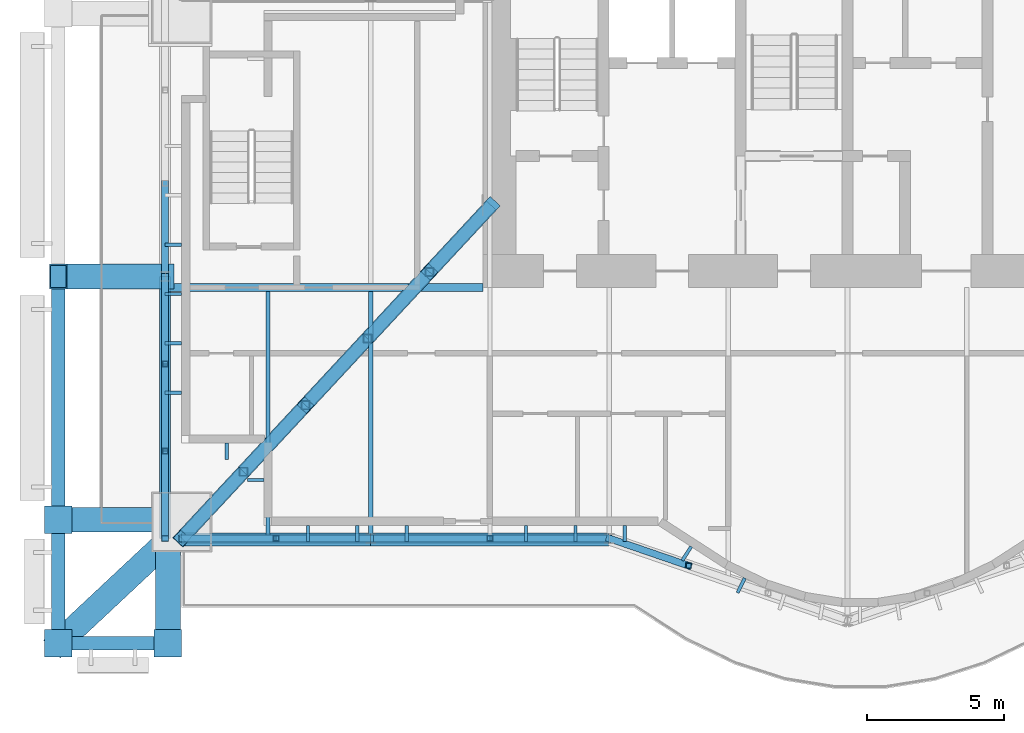
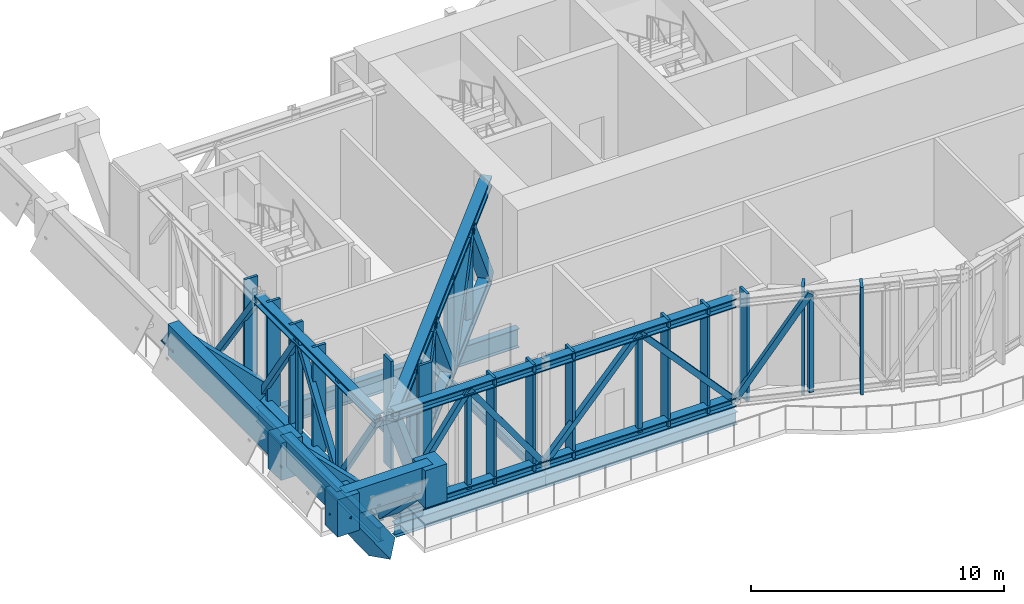
# One storey, part 3 of 20: 52 members, 9 beams, 1 element without a shape of its own.
"""IFC4 building model written with IfcOpenShell, lengths in metres."""

from ifc_helpers import new_model, si_unit, direction, frame, origin, origin_2d, place, context, subcontext, project, spatial, rectangle, hollow_rectangle, i_section, extrude, material, material_profile, profile_set, type_object, element, aggregate, save


model = new_model("IFC4")

# Units and contexts
model_context = context("Model", 3, precision=1e-05, world=origin(), true_north=direction((0.0, 1.0)))
body_context = subcontext(model_context, "Body", "Model", "MODEL_VIEW")
ifc_project = project(units=[si_unit("LENGTHUNIT", "METRE"), si_unit("AREAUNIT", "SQUARE_METRE"), si_unit("VOLUMEUNIT", "CUBIC_METRE"), si_unit("PLANEANGLEUNIT", "RADIAN"), si_unit("MASSUNIT", "GRAM", prefix="KILO")], contexts=[model_context])

# Site, building, storey
site_placement = place(None, origin())
site = spatial("IfcSite", under=ifc_project, at=site_placement, CompositionType="ELEMENT")
building_placement = place(site_placement, origin())
building = spatial("IfcBuilding", under=site, at=building_placement, Name="Bicima Exchange Tower", CompositionType="ELEMENT")
storey_placement = place(building_placement, frame((0.0, 0.0, 342.5)))
storey = spatial("IfcBuildingStorey", under=building, at=storey_placement, Name="L77", CompositionType="ELEMENT", Elevation=342.5)

# Curtain wall, members
ifc_material_1 = material(Name="Anodised bronze aluminium", Category="aluminium")
curtain_wall_type = type_object("IfcCurtainWallType", Name="Band blade screen", PredefinedType="NOTDEFINED", material=ifc_material_1)
curtain_wall_placement = place(storey_placement, origin())
curtain_wall = element("IfcCurtainWall", 1, at=curtain_wall_placement, inside=storey, type_object=curtain_wall_type, Name="Band blade screen L77", PredefinedType="NOTDEFINED")
ifc_material_profile_1 = material_profile(ifc_material_1, rectangle(XDim=0.60009765625, YDim=0.1201171875, at=origin_2d()))
ifc_profile_set_1 = profile_set([ifc_material_profile_1], Name="Anodised bronze aluminium")
member_type_1 = type_object("IfcMemberType", Name="Band blade fin 600 x 120", PredefinedType="USERDEFINED", material=ifc_profile_set_1)
member_1_placement = place(storey_placement, frame((-33.300048828125, -11.43798828125, 0.0), z_axis=(0.0, 0.0, 1.0), x_axis=(1.0, 0.0, 0.0)))
member_1 = element("IfcMember", 2, at=member_1_placement, type_object=member_type_1, Name="Band blade fin 13", ObjectType="FIN", PredefinedType="USERDEFINED", context=body_context, shape_type="SweptSolid", body=[
    extrude(rectangle(XDim=0.60009765625, YDim=0.1201171875, at=origin_2d()), origin(), (0.0, 0.0, 1.0), 5.199951171875),
])
member_2_placement = place(storey_placement, frame((-33.300048828125, -13.238037109375, 0.0), z_axis=(0.0, 0.0, 1.0), x_axis=(1.0, 0.0, 0.0)))
member_2 = element("IfcMember", 3, at=member_2_placement, type_object=member_type_1, Name="Band blade fin 14", ObjectType="FIN", PredefinedType="USERDEFINED", context=body_context, shape_type="SweptSolid", body=[
    extrude(rectangle(XDim=0.60009765625, YDim=0.1201171875, at=origin_2d()), origin(), (0.0, 0.0, 1.0), 5.199951171875),
])
member_3_placement = place(storey_placement, frame((-33.300048828125, -15.0380859375, 0.0), z_axis=(0.0, 0.0, 1.0), x_axis=(1.0, 0.0, 0.0)))
member_3 = element("IfcMember", 4, at=member_3_placement, type_object=member_type_1, Name="Band blade fin 15", ObjectType="FIN", PredefinedType="USERDEFINED", context=body_context, shape_type="SweptSolid", body=[
    extrude(rectangle(XDim=0.60009765625, YDim=0.1201171875, at=origin_2d()), origin(), (0.0, 0.0, 1.0), 5.199951171875),
])
member_4_placement = place(storey_placement, frame((-33.300048828125, -16.837890625, 0.0), z_axis=(0.0, 0.0, 1.0), x_axis=(1.0, 0.0, 0.0)))
member_4 = element("IfcMember", 5, at=member_4_placement, type_object=member_type_1, Name="Band blade fin 16", ObjectType="FIN", PredefinedType="USERDEFINED", context=body_context, shape_type="SweptSolid", body=[
    extrude(rectangle(XDim=0.60009765625, YDim=0.1201171875, at=origin_2d()), origin(), (0.0, 0.0, 1.0), 5.199951171875),
])
member_5_placement = place(storey_placement, frame((-31.35009765625, -18.97607421875, 0.0), z_axis=(0.0, 0.0, 1.0), x_axis=(0.0, 1.0, 0.0)))
member_5 = element("IfcMember", 6, at=member_5_placement, type_object=member_type_1, Name="Band blade fin 17", ObjectType="FIN", PredefinedType="USERDEFINED", context=body_context, shape_type="SweptSolid", body=[
    extrude(rectangle(XDim=0.60009765625, YDim=0.1201171875, at=origin_2d()), origin(), (0.0, 0.0, 1.0), 5.199951171875),
])
member_6_placement = place(storey_placement, frame((-30.300048828125, -20.02587890625, 0.0), z_axis=(0.0, 0.0, 1.0), x_axis=(1.0, 0.0, 0.0)))
member_6 = element("IfcMember", 7, at=member_6_placement, type_object=member_type_1, Name="Band blade fin 18", ObjectType="FIN", PredefinedType="USERDEFINED", context=body_context, shape_type="SweptSolid", body=[
    extrude(rectangle(XDim=0.60009765625, YDim=0.1201171875, at=origin_2d()), origin(), (0.0, 0.0, 1.0), 5.199951171875),
])
member_7_placement = place(storey_placement, frame((-28.38720703125, -21.97607421875, 0.0), z_axis=(0.0, 0.0, 1.0), x_axis=(0.0, 1.0, 0.0)))
member_7 = element("IfcMember", 8, at=member_7_placement, type_object=member_type_1, Name="Band blade fin 19", ObjectType="FIN", PredefinedType="USERDEFINED", context=body_context, shape_type="SweptSolid", body=[
    extrude(rectangle(XDim=0.60009765625, YDim=0.1201171875, at=origin_2d()), origin(), (0.0, 0.0, 1.0), 5.199951171875),
])
member_8_placement = place(storey_placement, frame((-26.587158203125, -21.97607421875, 0.0), z_axis=(0.0, 0.0, 1.0), x_axis=(0.0, 1.0, 0.0)))
member_8 = element("IfcMember", 9, at=member_8_placement, type_object=member_type_1, Name="Band blade fin 20", ObjectType="FIN", PredefinedType="USERDEFINED", context=body_context, shape_type="SweptSolid", body=[
    extrude(rectangle(XDim=0.60009765625, YDim=0.1201171875, at=origin_2d()), origin(), (0.0, 0.0, 1.0), 5.199951171875),
])
member_9_placement = place(storey_placement, frame((-24.787109375, -21.97607421875, 0.0), z_axis=(0.0, 0.0, 1.0), x_axis=(0.0, 1.0, 0.0)))
member_9 = element("IfcMember", 10, at=member_9_placement, type_object=member_type_1, Name="Band blade fin 21", ObjectType="FIN", PredefinedType="USERDEFINED", context=body_context, shape_type="SweptSolid", body=[
    extrude(rectangle(XDim=0.60009765625, YDim=0.1201171875, at=origin_2d()), origin(), (0.0, 0.0, 1.0), 5.199951171875),
])
member_10_placement = place(storey_placement, frame((-20.432373046875, -21.97607421875, 0.0), z_axis=(0.0, 0.0, 1.0), x_axis=(0.0, 1.0, 0.0)))
member_10 = element("IfcMember", 11, at=member_10_placement, type_object=member_type_1, Name="Band blade fin 22", ObjectType="FIN", PredefinedType="USERDEFINED", context=body_context, shape_type="SweptSolid", body=[
    extrude(rectangle(XDim=0.60009765625, YDim=0.1201171875, at=origin_2d()), origin(), (0.0, 0.0, 1.0), 5.199951171875),
])
member_11_placement = place(storey_placement, frame((-18.63232421875, -21.97607421875, 0.0), z_axis=(0.0, 0.0, 1.0), x_axis=(0.0, 1.0, 0.0)))
member_11 = element("IfcMember", 12, at=member_11_placement, type_object=member_type_1, Name="Band blade fin 23", ObjectType="FIN", PredefinedType="USERDEFINED", context=body_context, shape_type="SweptSolid", body=[
    extrude(rectangle(XDim=0.60009765625, YDim=0.1201171875, at=origin_2d()), origin(), (0.0, 0.0, 1.0), 5.199951171875),
])
member_12_placement = place(storey_placement, frame((-16.832275390625, -21.97607421875, 0.0), z_axis=(0.0, 0.0, 1.0), x_axis=(0.0, 1.0, 0.0)))
member_12 = element("IfcMember", 13, at=member_12_placement, type_object=member_type_1, Name="Band blade fin 24", ObjectType="FIN", PredefinedType="USERDEFINED", context=body_context, shape_type="SweptSolid", body=[
    extrude(rectangle(XDim=0.60009765625, YDim=0.1201171875, at=origin_2d()), origin(), (0.0, 0.0, 1.0), 5.199951171875),
])
member_13_placement = place(storey_placement, frame((-14.5703125, -22.70849609375, 0.0), z_axis=(0.0, 0.0, 1.0), x_axis=(0.542916511621, 0.839786676132, 0.0)))
member_13 = element("IfcMember", 14, at=member_13_placement, type_object=member_type_1, Name="Band blade fin 25", ObjectType="FIN", PredefinedType="USERDEFINED", context=body_context, shape_type="SweptSolid", body=[
    extrude(rectangle(XDim=0.60009765625, YDim=0.1201171875, at=origin_2d()), origin(), (0.0, 0.0, 1.0), 5.199951171875),
])
member_14_placement = place(storey_placement, frame((-12.583740234375, -23.87060546875, 0.0), z_axis=(0.0, 0.0, 1.0), x_axis=(0.436286748784, 0.899807686584, 0.0)))
member_14 = element("IfcMember", 15, at=member_14_placement, type_object=member_type_1, Name="Band blade fin 26", ObjectType="FIN", PredefinedType="USERDEFINED", context=body_context, shape_type="SweptSolid", body=[
    extrude(rectangle(XDim=0.60009765625, YDim=0.1201171875, at=origin_2d()), origin(), (0.0, 0.0, 1.0), 5.199951171875),
])
aggregate(curtain_wall, [member_1, member_2, member_3, member_4, member_5, member_6, member_7, member_8, member_9, member_10, member_11, member_12, member_13, member_14])

# Beams
ifc_material_2 = material(Name="Steel ASTM A572 Gr 50", Category="steel")
ifc_material_profile_2 = material_profile(ifc_material_2, hollow_rectangle(XDim=0.5, YDim=1.199951171875, WallThickness=0.0400390625, at=origin_2d()))
ifc_profile_set_2 = profile_set([ifc_material_profile_2], Name="Steel ASTM A572 Gr 50")
beam_type_1 = type_object("IfcBeamType", Name="Belt girder BOX 500x1200x40", PredefinedType="BEAM", material=ifc_profile_set_2)
beam_1_placement = place(storey_placement, frame((-37.5, -25.974853515625, 4.60009765625), z_axis=(1.0, 0.0, 0.0), x_axis=(0.0, 1.0, 0.0)))
element("IfcBeam", 16, at=beam_1_placement, inside=storey, type_object=beam_type_1, Name="Belt girder", PredefinedType="BEAM", context=body_context, shape_type="SweptSolid", body=[
    extrude(hollow_rectangle(XDim=0.5, YDim=1.199951171875, WallThickness=0.0400390625, at=origin_2d()), origin(), (0.0, 0.0, 1.0), 4.0),
])
beam_2_placement = place(storey_placement, frame((-37.5, -21.474853515625, 4.60009765625), z_axis=(0.0, -1.0, 0.0), x_axis=(1.0, 0.0, 0.0)))
element("IfcBeam", 17, at=beam_2_placement, inside=storey, type_object=beam_type_1, Name="Belt girder", PredefinedType="BEAM", context=body_context, shape_type="SweptSolid", body=[
    extrude(hollow_rectangle(XDim=0.5, YDim=1.199951171875, WallThickness=0.0400390625, at=origin_2d()), origin(), (0.0, 0.0, 1.0), 4.5),
])
ifc_material_profile_3 = material_profile(ifc_material_2, hollow_rectangle(XDim=0.5, YDim=1.5, WallThickness=0.050048828125, at=origin_2d()))
ifc_profile_set_3 = profile_set([ifc_material_profile_3], Name="Steel ASTM A572 Gr 50")
beam_type_2 = type_object("IfcBeamType", Name="Belt girder BOX 500x1500x50", PredefinedType="BEAM", material=ifc_profile_set_3)
beam_3_placement = place(storey_placement, frame((-37.5, -12.60009765625, 4.449951171875), z_axis=(0.0, -1.0, 0.0), x_axis=(1.0, 0.0, 0.0)))
element("IfcBeam", 18, at=beam_3_placement, inside=storey, type_object=beam_type_2, Name="Belt girder", PredefinedType="BEAM", context=body_context, shape_type="SweptSolid", body=[
    extrude(hollow_rectangle(XDim=0.5, YDim=1.5, WallThickness=0.050048828125, at=origin_2d()), origin(), (0.0, 0.0, 1.0), 8.874755859375),
])

# Members
ifc_material_3 = material(Name="Steel ASTM A992 Gr 50", Category="steel")
ifc_material_profile_4 = material_profile(ifc_material_3, i_section(OverallWidth=0.406494140625, OverallDepth=0.41650390625, WebThickness=0.030029296875, FlangeThickness=0.048095703125, at=origin_2d()))
ifc_profile_set_4 = profile_set([ifc_material_profile_4], Name="Steel ASTM A992 Gr 50")
member_type_2 = type_object("IfcMemberType", Name="Belt truss chord W14x257", PredefinedType="CHORD", material=ifc_profile_set_4)
for number, where, z_axis, x_axis, name in (
    (19, (-33.0, -22.154052734375, 4.99169921875), (1.0, 0.0, 0.0), (0.0, 1.0, 0.0), "Top chord"),
    (20, (-33.0, -22.154052734375, 0.208251953125), (1.0, 0.0, 0.0), (0.0, 1.0, 0.0), "Bottom chord"),
):
    element("IfcMember", number, at=place(storey_placement, frame(where, z_axis=z_axis, x_axis=x_axis)), inside=storey, type_object=member_type_2, Name=name, PredefinedType="CHORD", context=body_context, shape_type="SweptSolid", body=[
        extrude(i_section(OverallWidth=0.406494140625, OverallDepth=0.41650390625, WebThickness=0.030029296875, FlangeThickness=0.048095703125, at=origin_2d()), origin(), (0.0, 0.0, 1.0), 6.89990234375),
    ])
for number, where, z_axis, x_axis, name in (
    (21, (-26.10009765625, -22.154052734375, 4.99169921875), (1.0, 0.0, 0.0), (0.0, 1.0, 0.0), "Top chord"),
    (22, (-26.10009765625, -22.154052734375, 0.208251953125), (1.0, 0.0, 0.0), (0.0, 1.0, 0.0), "Bottom chord"),
):
    element("IfcMember", number, at=place(storey_placement, frame(where, z_axis=z_axis, x_axis=x_axis)), inside=storey, type_object=member_type_2, Name=name, PredefinedType="CHORD", context=body_context, shape_type="SweptSolid", body=[
        extrude(i_section(OverallWidth=0.406494140625, OverallDepth=0.41650390625, WebThickness=0.030029296875, FlangeThickness=0.048095703125, at=origin_2d()), origin(), (0.0, 0.0, 1.0), 8.7001953125),
    ])
for number, where, z_axis, x_axis, name in (
    (23, (-33.60009765625, -12.60009765625, 4.99169921875), (0.0, -1.0, 0.0), (1.0, 0.0, 0.0), "Top chord"),
    (24, (-33.60009765625, -12.60009765625, 0.208251953125), (0.0, -1.0, 0.0), (1.0, 0.0, 0.0), "Bottom chord"),
):
    element("IfcMember", number, at=place(storey_placement, frame(where, z_axis=z_axis, x_axis=x_axis)), inside=storey, type_object=member_type_2, Name=name, PredefinedType="CHORD", context=body_context, shape_type="SweptSolid", body=[
        extrude(i_section(OverallWidth=0.406494140625, OverallDepth=0.41650390625, WebThickness=0.030029296875, FlangeThickness=0.048095703125, at=origin_2d()), origin(), (0.0, 0.0, 1.0), 9.553955078125),
    ])
ifc_material_profile_5 = material_profile(ifc_material_2, hollow_rectangle(XDim=0.25390625, YDim=0.25390625, WallThickness=0.01171875, at=origin_2d()))
ifc_profile_set_5 = profile_set([ifc_material_profile_5], Name="Steel ASTM A572 Gr 50")
member_type_3 = type_object("IfcMemberType", Name="Belt truss diagonal HSS10x10x1/2", PredefinedType="STRUT", material=ifc_profile_set_5)
for number, where, z_axis, x_axis, name in (
    (25, (-33.0, -22.154052734375, 0.208251953125), (0.584959927831, 0.0, 0.811062194182), (0.0, 1.0, 0.0), "Truss diagonal"),
    (26, (-29.550048828125, -22.154052734375, 4.99169921875), (0.584959927831, 0.0, -0.811062194182), (0.0, 1.0, 0.0), "Truss diagonal"),
):
    element("IfcMember", number, at=place(storey_placement, frame(where, z_axis=z_axis, x_axis=x_axis)), inside=storey, type_object=member_type_3, Name=name, PredefinedType="STRUT", context=body_context, shape_type="SweptSolid", body=[
        extrude(hollow_rectangle(XDim=0.25390625, YDim=0.25390625, WallThickness=0.01171875, at=origin_2d()), origin(), (0.0, 0.0, 1.0), 5.897705078125),
    ])
for number, where, z_axis, x_axis, name in (
    (27, (-26.10009765625, -22.154052734375, 0.208251953125), (0.672800585692, 0.0, 0.739823878969), (0.0, 1.0, 0.0), "Truss diagonal"),
    (28, (-21.75, -22.154052734375, 4.99169921875), (0.672800585692, 0.0, -0.739823878969), (0.0, 1.0, 0.0), "Truss diagonal"),
):
    element("IfcMember", number, at=place(storey_placement, frame(where, z_axis=z_axis, x_axis=x_axis)), inside=storey, type_object=member_type_3, Name=name, PredefinedType="STRUT", context=body_context, shape_type="SweptSolid", body=[
        extrude(hollow_rectangle(XDim=0.25390625, YDim=0.25390625, WallThickness=0.01171875, at=origin_2d()), origin(), (0.0, 0.0, 1.0), 6.465576171875),
    ])
member_15_placement = place(storey_placement, frame((-17.39990234375, -22.154052734375, 0.208251953125), z_axis=(0.510371699397, -0.175437586179, 0.841868387463), x_axis=(0.325075318312, 0.945688129049, 0.0)))
element("IfcMember", 29, at=member_15_placement, inside=storey, type_object=member_type_3, Name="Truss diagonal", PredefinedType="STRUT", context=body_context, shape_type="SweptSolid", body=[
    extrude(hollow_rectangle(XDim=0.25390625, YDim=0.25390625, WallThickness=0.01171875, at=origin_2d()), origin(), (0.0, 0.0, 1.0), 5.681884765625),
])
member_16_placement = place(storey_placement, frame((-33.60009765625, -9.199951171875, 0.208251953125), z_axis=(0.0, -0.579363528427, 0.815069262043), x_axis=(1.0, 0.0, 0.0)))
element("IfcMember", 30, at=member_16_placement, inside=storey, type_object=member_type_3, Name="Truss diagonal", PredefinedType="STRUT", context=body_context, shape_type="SweptSolid", body=[
    extrude(hollow_rectangle(XDim=0.25390625, YDim=0.25390625, WallThickness=0.01171875, at=origin_2d()), origin(), (0.0, 0.0, 1.0), 5.86865234375),
])
for number, where, z_axis, x_axis, name in (
    (31, (-33.60009765625, -12.60009765625, 0.208251953125), (0.0, -0.554170658991, 0.832403075867), (1.0, 0.0, 0.0), "Truss diagonal"),
    (32, (-33.60009765625, -15.78466796875, 4.99169921875), (0.0, -0.554170658991, -0.832403075867), (1.0, 0.0, 0.0), "Truss diagonal"),
    (33, (-33.60009765625, -18.96923828125, 0.208251953125), (0.0, -0.554200095395, 0.83238347789), (1.0, 0.0, 0.0), "Truss diagonal"),
):
    element("IfcMember", number, at=place(storey_placement, frame(where, z_axis=z_axis, x_axis=x_axis)), inside=storey, type_object=member_type_3, Name=name, PredefinedType="STRUT", context=body_context, shape_type="SweptSolid", body=[
        extrude(hollow_rectangle(XDim=0.25390625, YDim=0.25390625, WallThickness=0.01171875, at=origin_2d()), origin(), (0.0, 0.0, 1.0), 5.74658203125),
    ])
ifc_material_profile_6 = material_profile(ifc_material_2, hollow_rectangle(XDim=0.203125, YDim=0.203125, WallThickness=0.01171875, at=origin_2d()))
ifc_profile_set_6 = profile_set([ifc_material_profile_6], Name="Steel ASTM A572 Gr 50")
member_type_4 = type_object("IfcMemberType", Name="Belt truss post HSS8x8x1/2", PredefinedType="POST", material=ifc_profile_set_6)
for number, where, z_axis, x_axis, name in (
    (34, (-29.550048828125, -22.154052734375, 0.208251953125), (0.0, 0.0, 1.0), (1.0, 0.0, 0.0), "Truss post"),
    (35, (-21.75, -22.154052734375, 0.208251953125), (0.0, 0.0, 1.0), (1.0, 0.0, 0.0), "Truss post"),
    (36, (-14.5, -23.15087890625, 0.208251953125), (0.0, 0.0, 1.0), (1.0, 0.0, 0.0), "Truss post"),
    (37, (-33.60009765625, -15.78466796875, 0.208251953125), (0.0, 0.0, 1.0), (1.0, 0.0, 0.0), "Truss post"),
    (38, (-33.60009765625, -18.96923828125, 0.208251953125), (0.0, 0.0, 1.0), (1.0, 0.0, 0.0), "Truss post"),
):
    element("IfcMember", number, at=place(storey_placement, frame(where, z_axis=z_axis, x_axis=x_axis)), inside=storey, type_object=member_type_4, Name=name, PredefinedType="POST", context=body_context, shape_type="SweptSolid", body=[
        extrude(hollow_rectangle(XDim=0.203125, YDim=0.203125, WallThickness=0.01171875, at=origin_2d()), origin(), (0.0, 0.0, 1.0), 4.783447265625),
    ])

# Beams
ifc_material_profile_7 = material_profile(ifc_material_3, i_section(OverallWidth=0.3046875, OverallDepth=0.911865234375, WebThickness=0.015869140625, FlangeThickness=0.02392578125, at=origin_2d()))
ifc_profile_set_7 = profile_set([ifc_material_profile_7], Name="Steel ASTM A992 Gr 50")
beam_type_3 = type_object("IfcBeamType", Name="Core-line girder W36x150", PredefinedType="BEAM", material=ifc_profile_set_7)
beam_4_placement = place(storey_placement, frame((-22.0, -13.0, -0.656005859375), z_axis=(-1.0, 0.0, 0.0), x_axis=(0.0, -1.0, 0.0)))
element("IfcBeam", 39, at=beam_4_placement, inside=storey, type_object=beam_type_3, Name="Core-line girder", PredefinedType="BEAM", context=body_context, shape_type="SweptSolid", body=[
    extrude(i_section(OverallWidth=0.3046875, OverallDepth=0.911865234375, WebThickness=0.015869140625, FlangeThickness=0.02392578125, at=origin_2d()), origin(), (0.0, 0.0, 1.0), 11.60009765625),
])
ifc_material_profile_8 = material_profile(ifc_material_3, i_section(OverallWidth=0.256591796875, OverallDepth=0.693359375, WebThickness=0.014404296875, FlangeThickness=0.023681640625, at=origin_2d()))
ifc_profile_set_8 = profile_set([ifc_material_profile_8], Name="Steel ASTM A992 Gr 50")
beam_type_4 = type_object("IfcBeamType", Name="End girder W27x114", PredefinedType="BEAM", material=ifc_profile_set_8)
beam_5_placement = place(storey_placement, frame((-33.60009765625, -12.60009765625, -0.546630859375), z_axis=(0.0, -1.0, 0.0), x_axis=(1.0, 0.0, 0.0)))
element("IfcBeam", 40, at=beam_5_placement, inside=storey, type_object=beam_type_4, Name="End girder", PredefinedType="BEAM", context=body_context, shape_type="SweptSolid", body=[
    extrude(i_section(OverallWidth=0.256591796875, OverallDepth=0.693359375, WebThickness=0.014404296875, FlangeThickness=0.023681640625, at=origin_2d()), origin(), (0.0, 0.0, 1.0), 9.67578125),
])

# Members
ifc_material_4 = material(Name="Cast steel ASTM A216 Gr WCB", Category="steel")
ifc_material_profile_9 = material_profile(ifc_material_4, rectangle(XDim=1.0, YDim=1.0, at=origin_2d()))
ifc_profile_set_9 = profile_set([ifc_material_profile_9], Name="Cast steel ASTM A216 Gr WCB")
member_type_5 = type_object("IfcMemberType", Name="Exo node block", PredefinedType="POST", material=ifc_profile_set_9)
for number, where, z_axis, x_axis, name in (
    (41, (-37.5, -25.974853515625, 3.39990234375), (0.0, 0.0, 1.0), (1.0, 0.0, 0.0), "Exo node block"),
    (42, (-33.5, -25.974853515625, 3.39990234375), (0.0, 0.0, 1.0), (1.0, 0.0, 0.0), "Exo node block"),
    (43, (-37.5, -21.474853515625, 3.39990234375), (0.0, 0.0, 1.0), (1.0, 0.0, 0.0), "Exo node block"),
):
    element("IfcMember", number, at=place(storey_placement, frame(where, z_axis=z_axis, x_axis=x_axis)), inside=storey, type_object=member_type_5, Name=name, PredefinedType="POST", context=body_context, shape_type="SweptSolid", body=[
        extrude(rectangle(XDim=1.0, YDim=1.0, at=origin_2d()), origin(), (0.0, 0.0, 1.0), 1.800048828125),
    ])
ifc_material_profile_10 = material_profile(ifc_material_2, hollow_rectangle(XDim=0.89990234375, YDim=0.89990234375, WallThickness=0.050048828125, at=origin_2d()))
ifc_profile_set_10 = profile_set([ifc_material_profile_10], Name="Steel ASTM A572 Gr 50")
member_type_6 = type_object("IfcMemberType", Name="Exo outrigger stub BOX 900x900x50", PredefinedType="STRUT", material=ifc_profile_set_10)
member_17_placement = place(storey_placement, frame((-33.565673828125, -22.293212890625, -1.138427734375), z_axis=(-0.506808187845, -0.474257987757, 0.71987833818), x_axis=(0.683270143381, -0.730165673779, 0.0)))
element("IfcMember", 44, at=member_17_placement, inside=storey, type_object=member_type_6, Name="Exo outrigger stub", PredefinedType="STRUT", context=body_context, shape_type="SweptSolid", body=[
    extrude(hollow_rectangle(XDim=0.89990234375, YDim=0.89990234375, WallThickness=0.050048828125, at=origin_2d()), origin(), (0.0, 0.0, 1.0), 7.762939453125),
])
member_18_placement = place(storey_placement, frame((-33.5, -22.434814453125, 0.909912109375), z_axis=(0.0, -0.707106781187, 0.707106781187), x_axis=(1.0, 0.0, 0.0)))
element("IfcMember", 45, at=member_18_placement, inside=storey, type_object=member_type_6, Name="Exo outrigger stub", PredefinedType="STRUT", context=body_context, shape_type="SweptSolid", body=[
    extrude(hollow_rectangle(XDim=0.89990234375, YDim=0.89990234375, WallThickness=0.050048828125, at=origin_2d()), origin(), (0.0, 0.0, 1.0), 5.00634765625),
])
member_19_placement = place(storey_placement, frame((-33.60009765625, -12.60009765625, 0.550048828125), z_axis=(-0.707106781187, 0.0, 0.707106781187), x_axis=(0.0, -1.0, 0.0)))
element("IfcMember", 46, at=member_19_placement, inside=storey, type_object=member_type_6, Name="Exo outrigger stub", PredefinedType="STRUT", context=body_context, shape_type="SweptSolid", body=[
    extrude(hollow_rectangle(XDim=0.89990234375, YDim=0.89990234375, WallThickness=0.050048828125, at=origin_2d()), origin(), (0.0, 0.0, 1.0), 5.515380859375),
])
member_20_placement = place(storey_placement, frame((-34.10009765625, -21.474853515625, 1.050048828125), z_axis=(-0.707106781187, 0.0, 0.707106781187), x_axis=(0.0, -1.0, 0.0)))
element("IfcMember", 47, at=member_20_placement, inside=storey, type_object=member_type_6, Name="Exo outrigger stub", PredefinedType="STRUT", context=body_context, shape_type="SweptSolid", body=[
    extrude(hollow_rectangle(XDim=0.89990234375, YDim=0.89990234375, WallThickness=0.050048828125, at=origin_2d()), origin(), (0.0, 0.0, 1.0), 4.80810546875),
])

# Beams
ifc_material_profile_11 = material_profile(ifc_material_3, i_section(OverallWidth=0.15283203125, OverallDepth=0.45458984375, WebThickness=0.008056640625, FlangeThickness=0.013427734375, at=origin_2d()))
ifc_profile_set_11 = profile_set([ifc_material_profile_11], Name="Steel ASTM A992 Gr 50")
beam_type_5 = type_object("IfcBeamType", Name="Floor beam W18x40", PredefinedType="JOIST", material=ifc_profile_set_11)
for number, where, z_axis, x_axis, name in (
    (48, (-29.85009765625, -13.15234375, -0.42724609375), (0.0, -1.0, 0.0), (1.0, 0.0, 0.0), "Floor beam"),
    (49, (-26.10009765625, -13.15234375, -0.42724609375), (0.0, -1.0, 0.0), (1.0, 0.0, 0.0), "Floor beam"),
):
    element("IfcBeam", number, at=place(storey_placement, frame(where, z_axis=z_axis, x_axis=x_axis)), inside=storey, type_object=beam_type_5, Name=name, PredefinedType="JOIST", context=body_context, shape_type="SweptSolid", body=[
        extrude(i_section(OverallWidth=0.15283203125, OverallDepth=0.45458984375, WebThickness=0.008056640625, FlangeThickness=0.013427734375, at=origin_2d()), origin(), (0.0, 0.0, 1.0), 8.9609375),
    ])
ifc_material_profile_12 = material_profile(ifc_material_3, i_section(OverallWidth=0.3251953125, OverallDepth=0.612060546875, WebThickness=0.0126953125, FlangeThickness=0.01904296875, at=origin_2d()))
ifc_profile_set_12 = profile_set([ifc_material_profile_12], Name="Steel ASTM A992 Gr 50")
beam_type_6 = type_object("IfcBeamType", Name="Front girder W24x104", PredefinedType="BEAM", material=ifc_profile_set_12)
beam_6_placement = place(storey_placement, frame((-33.0, -22.27587890625, -0.506103515625), z_axis=(1.0, 0.0, 0.0), x_axis=(0.0, 1.0, 0.0)))
element("IfcBeam", 50, at=beam_6_placement, inside=storey, type_object=beam_type_6, Name="Front girder", PredefinedType="BEAM", context=body_context, shape_type="SweptSolid", body=[
    extrude(i_section(OverallWidth=0.3251953125, OverallDepth=0.612060546875, WebThickness=0.0126953125, FlangeThickness=0.01904296875, at=origin_2d()), origin(), (0.0, 0.0, 1.0), 6.89990234375),
])
beam_7_placement = place(storey_placement, frame((-26.10009765625, -22.27587890625, -0.506103515625), z_axis=(1.0, 0.0, 0.0), x_axis=(0.0, 1.0, 0.0)))
element("IfcBeam", 51, at=beam_7_placement, inside=storey, type_object=beam_type_6, Name="Front girder", PredefinedType="BEAM", context=body_context, shape_type="SweptSolid", body=[
    extrude(i_section(OverallWidth=0.3251953125, OverallDepth=0.612060546875, WebThickness=0.0126953125, FlangeThickness=0.01904296875, at=origin_2d()), origin(), (0.0, 0.0, 1.0), 8.7001953125),
])

# Members
ifc_material_profile_13 = material_profile(ifc_material_3, i_section(OverallWidth=0.45458984375, OverallDepth=0.56884765625, WebThickness=0.077880859375, FlangeThickness=0.124755859375, at=origin_2d()))
ifc_profile_set_13 = profile_set([ifc_material_profile_13], Name="Steel ASTM A992 Gr 50")
member_type_7 = type_object("IfcMemberType", Name="Outrigger truss chord W14x730", PredefinedType="CHORD", material=ifc_profile_set_13)
for number, where, z_axis, x_axis, name in (
    (52, (-21.699951171875, -10.0, 4.91552734375), (-0.680908586233, -0.7323684163, 0.0), (0.7323684163, -0.680908586233, 0.0), "Top chord"),
    (53, (-21.699951171875, -10.0, 0.284423828125), (-0.680908586233, -0.7323684163, 0.0), (0.7323684163, -0.680908586233, 0.0), "Bottom chord"),
):
    element("IfcMember", number, at=place(storey_placement, frame(where, z_axis=z_axis, x_axis=x_axis)), inside=storey, type_object=member_type_7, Name=name, PredefinedType="CHORD", context=body_context, shape_type="SweptSolid", body=[
        extrude(i_section(OverallWidth=0.45458984375, OverallDepth=0.56884765625, WebThickness=0.077880859375, FlangeThickness=0.124755859375, at=origin_2d()), origin(), (0.0, 0.0, 1.0), 16.595458984375),
    ])
ifc_material_profile_14 = material_profile(ifc_material_2, hollow_rectangle(XDim=0.508056640625, YDim=0.508056640625, WallThickness=0.017822265625, at=origin_2d()))
ifc_profile_set_14 = profile_set([ifc_material_profile_14], Name="Steel ASTM A572 Gr 50")
member_type_8 = type_object("IfcMemberType", Name="Outrigger truss diagonal HSS20x20x3/4", PredefinedType="STRUT", material=ifc_profile_set_14)
member_21_placement = place(storey_placement, frame((-21.699951171875, -10.0, 0.284423828125), z_axis=(-0.396651202403, -0.426645351877, 0.812798601964), x_axis=(0.732382057172, -0.680893914155, 0.0)))
element("IfcMember", 54, at=member_21_placement, inside=storey, type_object=member_type_8, Name="Truss diagonal", PredefinedType="STRUT", context=body_context, shape_type="SweptSolid", body=[
    extrude(hollow_rectangle(XDim=0.508056640625, YDim=0.508056640625, WallThickness=0.017822265625, at=origin_2d()), origin(), (0.0, 0.0, 1.0), 5.69775390625),
])
member_22_placement = place(storey_placement, frame((-23.9599609375, -12.430908203125, 4.91552734375), z_axis=(-0.396658453511, -0.426610301735, -0.812813460587), x_axis=(0.732347953339, -0.680930595024, 0.0)))
element("IfcMember", 55, at=member_22_placement, inside=storey, type_object=member_type_8, Name="Truss diagonal", PredefinedType="STRUT", context=body_context, shape_type="SweptSolid", body=[
    extrude(hollow_rectangle(XDim=0.508056640625, YDim=0.508056640625, WallThickness=0.017822265625, at=origin_2d()), origin(), (0.0, 0.0, 1.0), 5.697509765625),
])
member_23_placement = place(storey_placement, frame((-26.219970703125, -14.861572265625, 0.284423828125), z_axis=(-0.396651202403, -0.426645351877, 0.812798601964), x_axis=(0.732382057172, -0.680893914155, 0.0)))
element("IfcMember", 56, at=member_23_placement, inside=storey, type_object=member_type_8, Name="Truss diagonal", PredefinedType="STRUT", context=body_context, shape_type="SweptSolid", body=[
    extrude(hollow_rectangle(XDim=0.508056640625, YDim=0.508056640625, WallThickness=0.017822265625, at=origin_2d()), origin(), (0.0, 0.0, 1.0), 5.69775390625),
])
member_24_placement = place(storey_placement, frame((-28.47998046875, -17.29248046875, 4.91552734375), z_axis=(-0.396658453511, -0.426610301735, -0.812813460587), x_axis=(0.732347953339, -0.680930595024, 0.0)))
element("IfcMember", 57, at=member_24_placement, inside=storey, type_object=member_type_8, Name="Truss diagonal", PredefinedType="STRUT", context=body_context, shape_type="SweptSolid", body=[
    extrude(hollow_rectangle(XDim=0.508056640625, YDim=0.508056640625, WallThickness=0.017822265625, at=origin_2d()), origin(), (0.0, 0.0, 1.0), 5.697509765625),
])
member_25_placement = place(storey_placement, frame((-30.739990234375, -19.72314453125, 0.284423828125), z_axis=(-0.396651202403, -0.426645351877, 0.812798601964), x_axis=(0.732382057172, -0.680893914155, 0.0)))
element("IfcMember", 58, at=member_25_placement, inside=storey, type_object=member_type_8, Name="Truss diagonal", PredefinedType="STRUT", context=body_context, shape_type="SweptSolid", body=[
    extrude(hollow_rectangle(XDim=0.508056640625, YDim=0.508056640625, WallThickness=0.017822265625, at=origin_2d()), origin(), (0.0, 0.0, 1.0), 5.69775390625),
])
ifc_material_profile_15 = material_profile(ifc_material_2, hollow_rectangle(XDim=0.3046875, YDim=0.3046875, WallThickness=0.01171875, at=origin_2d()))
ifc_profile_set_15 = profile_set([ifc_material_profile_15], Name="Steel ASTM A572 Gr 50")
member_type_9 = type_object("IfcMemberType", Name="Outrigger truss post HSS12x12x1/2", PredefinedType="POST", material=ifc_profile_set_15)
for number, where, z_axis, x_axis, name in (
    (59, (-23.9599609375, -12.430908203125, 0.284423828125), (0.0, 0.0, 1.0), (1.0, 0.0, 0.0), "Truss post"),
    (60, (-26.219970703125, -14.861572265625, 0.284423828125), (0.0, 0.0, 1.0), (1.0, 0.0, 0.0), "Truss post"),
    (61, (-28.47998046875, -17.29248046875, 0.284423828125), (0.0, 0.0, 1.0), (1.0, 0.0, 0.0), "Truss post"),
    (62, (-30.739990234375, -19.72314453125, 0.284423828125), (0.0, 0.0, 1.0), (1.0, 0.0, 0.0), "Truss post"),
):
    element("IfcMember", number, at=place(storey_placement, frame(where, z_axis=z_axis, x_axis=x_axis)), inside=storey, type_object=member_type_9, Name=name, PredefinedType="POST", context=body_context, shape_type="SweptSolid", body=[
        extrude(hollow_rectangle(XDim=0.3046875, YDim=0.3046875, WallThickness=0.01171875, at=origin_2d()), origin(), (0.0, 0.0, 1.0), 4.631103515625),
    ])

save(model, "model.ifc")
